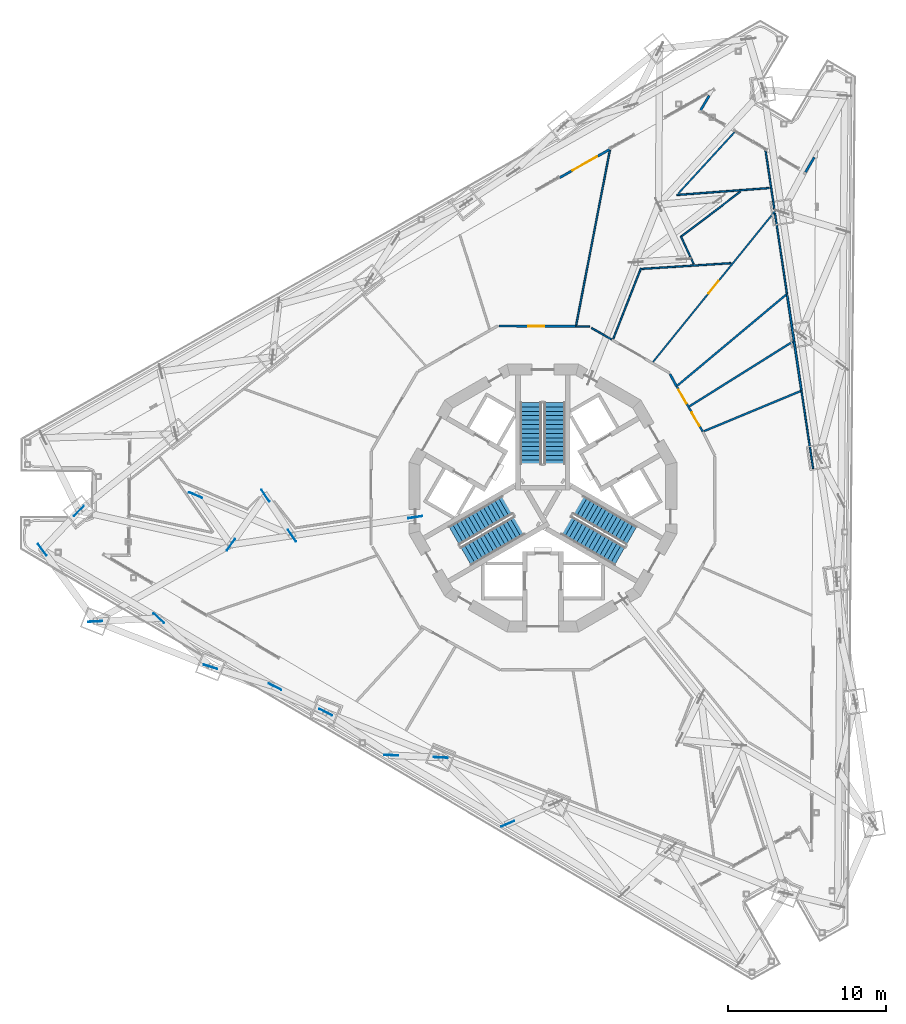
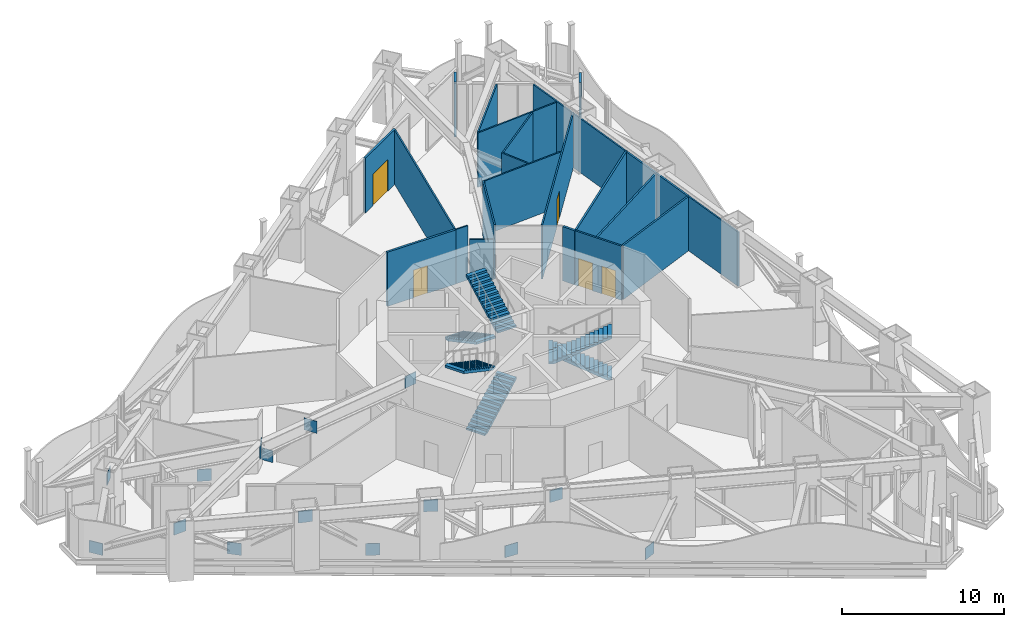
# One storey, part 15 of 27: 24 walls, 15 discrete accessories, 6 stair flights, 5 doors, 5 openings, 3 elements without a shape of their own.
"""IFC4 building model written with IfcOpenShell, lengths in metres."""

from ifc_helpers import new_model, si_unit, direction, frame, frame_2d, origin, origin_2d, place, context, subcontext, project, spatial, polyline, rectangle, outline, extrude, material, layer, layer_set, type_object, element, fill, aggregate, save


model = new_model("IFC4")

# Units and contexts
model_context = context("Model", 3, precision=1e-05, world=origin(), true_north=direction((0.0, 1.0)))
body_context = subcontext(model_context, "Body", "Model", "MODEL_VIEW")
ifc_project = project(units=[si_unit("LENGTHUNIT", "METRE"), si_unit("AREAUNIT", "SQUARE_METRE"), si_unit("VOLUMEUNIT", "CUBIC_METRE"), si_unit("PLANEANGLEUNIT", "RADIAN"), si_unit("MASSUNIT", "GRAM", prefix="KILO")], contexts=[model_context])

# Site, building, storey
site_placement = place(None, origin())
site = spatial("IfcSite", under=ifc_project, at=site_placement, CompositionType="ELEMENT")
building_placement = place(site_placement, origin())
building = spatial("IfcBuilding", under=site, at=building_placement, Name="Trine Commons Tower", CompositionType="ELEMENT")
storey_placement = place(building_placement, frame((0.0, 0.0, 193.5)))
storey = spatial("IfcBuildingStorey", under=building, at=storey_placement, Name="L50", CompositionType="ELEMENT", Elevation=193.5)

# Wall, opening, door
ifc_material_1 = material(Name="Plasterboard on steel stud", Category="steel")
ifc_layer_1 = layer(ifc_material_1, 0.14990234375)
ifc_layer_set_1 = layer_set([ifc_layer_1], Name="Plasterboard on steel stud")
wall_type_1 = type_object("IfcWallType", Name="Compartment wall 150 mm, EI 60", PredefinedType="PARTITIONING", material=ifc_layer_set_1)
wall_1_placement = place(storey_placement, frame((77.213134765625, 73.425537109375, 0.0), z_axis=(0.0, 0.0, 1.0), x_axis=(0.999986505925, -0.005194994586, 0.0)))
wall_1 = element("IfcWall", 1, at=wall_1_placement, inside=storey, type_object=wall_type_1, Name="Partition A50025", PredefinedType="PARTITIONING", context=body_context, shape_type="SweptSolid", body=[
    extrude(rectangle(XDim=4.887451171875, YDim=0.14990234375, at=frame_2d((2.44384765625, 0.0))), origin(), (0.0, 0.0, 1.0), 4.10009765625),
])
opening_1_placement = place(wall_1_placement, frame((1.876953125, 0.0, 0.0)))
opening_1 = element("IfcOpeningElement", 2, at=opening_1_placement, cuts=wall_1, Name="Opening D-A5007", PredefinedType="OPENING", context=body_context, shape_type="SweptSolid", body=[
    extrude(rectangle(XDim=1.0, YDim=2.10009765625, at=frame_2d((0.5, 1.050048828125))), frame((0.0, 0.0849609375, 0.0), z_axis=(0.0, -1.0, 0.0), x_axis=(1.0, 0.0, 0.0)), (0.0, 0.0, 1.0), 0.169921875),
])
ifc_material_2 = material(Name="Timber fire door set", Category="wood")
door_type_1 = type_object("IfcDoorType", Name="Single swing door 1000x2100, FD30S", OperationType="SINGLE_SWING_LEFT", PredefinedType="DOOR", material=ifc_material_2)
door_1_placement = place(opening_1_placement, origin())
door_1 = element("IfcDoor", 3, at=door_1_placement, inside=storey, type_object=door_type_1, Name="Door D-A5007", OperationType="SINGLE_SWING_LEFT", OverallHeight=2.10009765625, OverallWidth=1.0, PredefinedType="DOOR", context=body_context, shape_type="SweptSolid", body=[
    extrude(rectangle(XDim=1.0, YDim=2.10009765625, at=frame_2d((0.5, 1.050048828125))), frame((0.0, 0.02490234375, 0.0), z_axis=(0.0, -1.0, 0.0), x_axis=(1.0, 0.0, 0.0)), (0.0, 0.0, 1.0), 0.050048828125),
])
fill(opening_1, door_1)

# Wall
wall_2_placement = place(storey_placement, frame((88.068359375, 70.376220703125, 0.0), z_axis=(0.0, 0.0, 1.0), x_axis=(0.474956376062, -0.880009341336, 0.0)))
element("IfcWall", 4, at=wall_2_placement, inside=storey, type_object=wall_type_1, Name="Partition A50041", PredefinedType="PARTITIONING", context=body_context, shape_type="SweptSolid", body=[
    extrude(rectangle(XDim=0.883544921875, YDim=0.14990234375, at=frame_2d((0.44189453125, 0.0))), origin(), (0.0, 0.0, 1.0), 4.10009765625),
])

# Wall, opening, door
ifc_material_3 = material(Name="Aluminium-framed insulated wall panel", Category="aluminium")
ifc_layer_2 = layer(ifc_material_3, 0.14990234375)
ifc_layer_set_2 = layer_set([ifc_layer_2], Name="Aluminium-framed insulated wall panel")
wall_type_2 = type_object("IfcWallType", Name="Glazed entrance wall 150, EI 60", PredefinedType="SOLIDWALL", material=ifc_layer_set_2)
wall_3_placement = place(storey_placement, frame((81.06689453125, 82.834228515625, 0.0), z_axis=(0.0, 0.0, 1.0), x_axis=(0.87037702274, 0.492385863207, 0.0)))
wall_3 = element("IfcWall", 5, at=wall_3_placement, inside=storey, type_object=wall_type_2, Name="Glazed entrance wall L50 F1 10", PredefinedType="SOLIDWALL", context=body_context, shape_type="SweptSolid", body=[
    extrude(rectangle(XDim=3.6474609375, YDim=0.14990234375, at=frame_2d((1.82373046875, 0.0))), origin(), (0.0, 0.0, 1.0), 4.14990234375),
])
opening_2_placement = place(wall_3_placement, frame((0.923583984375, 0.0, 0.0)))
opening_2 = element("IfcOpeningElement", 6, at=opening_2_placement, cuts=wall_3, Name="Opening SD-L50-F1-10", PredefinedType="OPENING", context=body_context, shape_type="SweptSolid", body=[
    extrude(rectangle(XDim=1.800048828125, YDim=2.39990234375, at=frame_2d((0.89990234375, 1.199951171875))), frame((0.0, 0.0849609375, 0.0), z_axis=(0.0, -1.0, 0.0), x_axis=(1.0, 0.0, 0.0)), (0.0, 0.0, 1.0), 0.169921875),
])
ifc_material_4 = material(Name="Anodised aluminium frame with double glazing", Category="aluminium")
door_type_2 = type_object("IfcDoorType", Name="Sliding double door 1800x2400", OperationType="DOUBLE_DOOR_SLIDING", PredefinedType="DOOR", material=ifc_material_4)
door_2_placement = place(opening_2_placement, origin())
door_2 = element("IfcDoor", 7, at=door_2_placement, inside=storey, type_object=door_type_2, Name="Loggia door L50 F1 10", OperationType="DOUBLE_DOOR_SLIDING", OverallHeight=2.39990234375, OverallWidth=1.800048828125, PredefinedType="DOOR", context=body_context, shape_type="SweptSolid", body=[
    extrude(rectangle(XDim=1.800048828125, YDim=2.39990234375, at=frame_2d((0.89990234375, 1.199951171875))), frame((0.0, 0.02490234375, 0.0), z_axis=(0.0, -1.0, 0.0), x_axis=(1.0, 0.0, 0.0)), (0.0, 0.0, 1.0), 0.050048828125),
])
fill(opening_2, door_2)

# Walls
ifc_layer_3 = layer(ifc_material_3, 0.14990234375)
ifc_layer_set_3 = layer_set([ifc_layer_3], Name="Aluminium-framed insulated wall panel")
wall_type_3 = type_object("IfcWallType", Name="Glazed frame wall 150, EI 60", PredefinedType="SOLIDWALL", material=ifc_layer_set_3)
wall_4_placement = place(storey_placement, frame((90.63720703125, 88.173583984375, 0.0), z_axis=(0.0, 0.0, 1.0), x_axis=(-0.507591242276, -0.861598009958, 0.0)))
element("IfcWall", 8, at=wall_4_placement, inside=storey, type_object=wall_type_3, Name="Glazed frame wall L50 R5", PredefinedType="SOLIDWALL", context=body_context, shape_type="SweptSolid", body=[
    extrude(outline(polyline([(0.1494140625, 0.074951171875), (0.1494140625, -0.074951171875), (1.235107421875, -0.074951171875), (1.235107421875, 0.074951171875), (0.1494140625, 0.074951171875)])), origin(), (0.0, 0.0, 1.0), 4.14990234375),
])
wall_5_placement = place(storey_placement, frame((96.614990234375, 83.091552734375, 0.0), z_axis=(0.0, 0.0, 1.0), x_axis=(0.507511857062, 0.86164477306, 0.0)))
element("IfcWall", 9, at=wall_5_placement, inside=storey, type_object=wall_type_3, Name="Glazed frame wall L50 R7", PredefinedType="SOLIDWALL", context=body_context, shape_type="SweptSolid", body=[
    extrude(outline(polyline([(0.110107421875, 0.074951171875), (0.110107421875, -0.074951171875), (1.19580078125, -0.074951171875), (1.19580078125, 0.074951171875), (0.110107421875, 0.074951171875)])), origin(), (0.0, 0.0, 1.0), 4.14990234375),
])
ifc_layer_4 = layer(ifc_material_1, 0.10009765625)
ifc_layer_set_4 = layer_set([ifc_layer_4], Name="Plasterboard on steel stud")
wall_type_4 = type_object("IfcWallType", Name="Partition wall 100 mm stud, not rated", PredefinedType="PARTITIONING", material=ifc_layer_set_4)
wall_6_placement = place(storey_placement, frame((82.1171875, 73.486572265625, 0.0), z_axis=(0.0, 0.0, 1.0), x_axis=(0.189206706581, 0.981937280169, 0.0)))
element("IfcWall", 10, at=wall_6_placement, inside=storey, type_object=wall_type_4, Name="Partition A50028", PredefinedType="PARTITIONING", context=body_context, shape_type="SweptSolid", body=[
    extrude(rectangle(XDim=11.31494140625, YDim=0.10009765625, at=frame_2d((5.657470703125, 0.0))), origin(), (0.0, 0.0, 1.0), 4.10009765625),
])
wall_7_placement = place(storey_placement, frame((82.1025390625, 73.400146484375, 0.0), z_axis=(0.0, 0.0, 1.0), x_axis=(1.0, 0.0, 0.0)))
element("IfcWall", 11, at=wall_7_placement, inside=storey, type_object=wall_type_4, Name="Partition A50029", PredefinedType="PARTITIONING", context=body_context, shape_type="SweptSolid", body=[
    extrude(rectangle(XDim=0.8681640625, YDim=0.10009765625, at=frame_2d((0.43408203125, 0.0))), origin(), (0.0, 0.0, 1.0), 4.10009765625),
])
wall_8_placement = place(storey_placement, frame((83.082275390625, 73.306884765625, 0.0), z_axis=(0.0, 0.0, 1.0), x_axis=(0.866047289552, -0.499962090823, 0.0)))
element("IfcWall", 12, at=wall_8_placement, inside=storey, type_object=wall_type_4, Name="Partition A50031", PredefinedType="PARTITIONING", context=body_context, shape_type="SweptSolid", body=[
    extrude(rectangle(XDim=1.4697265625, YDim=0.10009765625, at=frame_2d((0.73486328125, 0.0))), origin(), (0.0, 0.0, 1.0), 3.09130859375),
])
wall_9_placement = place(storey_placement, frame((84.464599609375, 72.606201171875, 0.0), z_axis=(0.0, 0.0, 1.0), x_axis=(0.366493951422, 0.930420433767, 0.0)))
element("IfcWall", 13, at=wall_9_placement, inside=storey, type_object=wall_type_4, Name="Partition A50034", PredefinedType="PARTITIONING", context=body_context, shape_type="SweptSolid", body=[
    extrude(rectangle(XDim=4.81884765625, YDim=0.10009765625, at=frame_2d((2.409423828125, 0.0))), origin(), (0.0, 0.0, 1.0), 4.10009765625),
])
wall_10_placement = place(storey_placement, frame((86.291015625, 77.04833984375, 0.0), z_axis=(0.0, 0.0, 1.0), x_axis=(0.997938242232, 0.064181498043, 0.0)))
element("IfcWall", 14, at=wall_10_placement, inside=storey, type_object=wall_type_4, Name="Partition A50035", PredefinedType="PARTITIONING", context=body_context, shape_type="SweptSolid", body=[
    extrude(rectangle(XDim=5.6640625, YDim=0.10009765625, at=frame_2d((2.83203125, 0.0))), origin(), (0.0, 0.0, 1.0), 4.10009765625),
])

# Wall, opening, door
wall_11_placement = place(storey_placement, frame((86.99365234375, 71.144287109375, 0.0), z_axis=(0.0, 0.0, 1.0), x_axis=(0.628973675857, 0.777426597872, 0.0)))
wall_11 = element("IfcWall", 15, at=wall_11_placement, inside=storey, type_object=wall_type_4, Name="Partition A50037", PredefinedType="PARTITIONING", context=body_context, shape_type="SweptSolid", body=[
    extrude(rectangle(XDim=12.324462890625, YDim=0.10009765625, at=frame_2d((6.162109375, 0.0))), origin(), (0.0, 0.0, 1.0), 4.10009765625),
])
opening_3_placement = place(wall_11_placement, frame((5.59521484375, 0.0, 0.0)))
opening_3 = element("IfcOpeningElement", 16, at=opening_3_placement, cuts=wall_11, Name="Opening D-A5010", PredefinedType="OPENING", context=body_context, shape_type="SweptSolid", body=[
    extrude(rectangle(XDim=1.0, YDim=2.10009765625, at=frame_2d((0.5, 1.050048828125))), frame((0.0, 0.06005859375, 0.0), z_axis=(0.0, -1.0, 0.0), x_axis=(1.0, 0.0, 0.0)), (0.0, 0.0, 1.0), 0.1201171875),
])
ifc_material_5 = material(Name="Painted timber", Category="wood")
door_type_3 = type_object("IfcDoorType", Name="Single swing door 1000x2100, not rated", OperationType="SINGLE_SWING_LEFT", PredefinedType="DOOR", material=ifc_material_5)
door_3_placement = place(opening_3_placement, origin())
door_3 = element("IfcDoor", 17, at=door_3_placement, inside=storey, type_object=door_type_3, Name="Door D-A5010", OperationType="SINGLE_SWING_LEFT", OverallHeight=2.10009765625, OverallWidth=1.0, PredefinedType="DOOR", context=body_context, shape_type="SweptSolid", body=[
    extrude(rectangle(XDim=1.0, YDim=2.10009765625, at=frame_2d((0.5, 1.050048828125))), frame((0.0, 0.02490234375, 0.0), z_axis=(0.0, -1.0, 0.0), x_axis=(1.0, 0.0, 0.0)), (0.0, 0.0, 1.0), 0.050048828125),
])
fill(opening_3, door_3)

# Walls
wall_12_placement = place(storey_placement, frame((88.490478515625, 81.73779296875, 0.0), z_axis=(0.0, 0.0, 1.0), x_axis=(0.997203085327, 0.074739592019, 0.0)))
element("IfcWall", 18, at=wall_12_placement, inside=storey, type_object=wall_type_4, Name="Partition A50046", PredefinedType="PARTITIONING", context=body_context, shape_type="SweptSolid", body=[
    extrude(rectangle(XDim=5.906005859375, YDim=0.10009765625, at=frame_2d((2.953125, 0.0))), origin(), (0.0, 0.0, 1.0), 4.10009765625),
])
wall_13_placement = place(storey_placement, frame((88.59423828125, 81.830810546875, 0.0), z_axis=(0.0, 0.0, 1.0), x_axis=(0.67585046837, 0.737038767233, 0.0)))
element("IfcWall", 19, at=wall_13_placement, inside=storey, type_object=wall_type_4, Name="Partition A50047", PredefinedType="PARTITIONING", context=body_context, shape_type="SweptSolid", body=[
    extrude(rectangle(XDim=5.270751953125, YDim=0.10009765625, at=frame_2d((2.63525390625, 0.0))), origin(), (0.0, 0.0, 1.0), 4.10009765625),
])
wall_14_placement = place(storey_placement, frame((88.752197265625, 79.137451171875, 0.0), z_axis=(0.0, 0.0, 1.0), x_axis=(0.419795533938, -0.907618702807, 0.0)))
element("IfcWall", 20, at=wall_14_placement, inside=storey, type_object=wall_type_4, Name="Partition A50051", PredefinedType="PARTITIONING", context=body_context, shape_type="SweptSolid", body=[
    extrude(rectangle(XDim=1.952392578125, YDim=0.10009765625, at=frame_2d((0.97607421875, 0.0))), origin(), (0.0, 0.0, 1.0), 4.10009765625),
])
wall_15_placement = place(storey_placement, frame((88.82275390625, 79.129638671875, 0.0), z_axis=(0.0, 0.0, 1.0), x_axis=(0.796405229566, 0.604763350675, 0.0)))
element("IfcWall", 21, at=wall_15_placement, inside=storey, type_object=wall_type_4, Name="Partition A50052", PredefinedType="PARTITIONING", context=body_context, shape_type="SweptSolid", body=[
    extrude(rectangle(XDim=4.663818359375, YDim=0.10009765625, at=frame_2d((2.33203125, 0.0))), origin(), (0.0, 0.0, 1.0), 4.10009765625),
])
wall_16_placement = place(storey_placement, frame((94.13671875, 84.549072265625, 0.0), z_axis=(0.0, 0.0, 1.0), x_axis=(0.147795400542, -0.989017957157, 0.0)))
element("IfcWall", 22, at=wall_16_placement, inside=storey, type_object=wall_type_4, Name="Partition A50062", PredefinedType="PARTITIONING", context=body_context, shape_type="SweptSolid", body=[
    extrude(rectangle(XDim=3.789306640625, YDim=0.10009765625, at=frame_2d((1.89453125, 0.0))), origin(), (0.0, 0.0, 1.0), 4.10009765625),
])
wall_17_placement = place(storey_placement, frame((94.730712890625, 80.5751953125, 0.0), z_axis=(0.0, 0.0, 1.0), x_axis=(0.147784004209, -0.989019660118, 0.0)))
element("IfcWall", 23, at=wall_17_placement, inside=storey, type_object=wall_type_4, Name="Partition A50063", PredefinedType="PARTITIONING", context=body_context, shape_type="SweptSolid", body=[
    extrude(rectangle(XDim=5.1708984375, YDim=0.10009765625, at=frame_2d((2.58544921875, 0.0))), origin(), (0.0, 0.0, 1.0), 4.10009765625),
])
wall_18_placement = place(storey_placement, frame((96.413330078125, 69.3154296875, 0.0), z_axis=(0.0, 0.0, 1.0), x_axis=(0.147822407457, -0.98901392096, 0.0)))
element("IfcWall", 24, at=wall_18_placement, inside=storey, type_object=wall_type_4, Name="Partition A50066", PredefinedType="PARTITIONING", context=body_context, shape_type="SweptSolid", body=[
    extrude(rectangle(XDim=5.0009765625, YDim=0.10009765625, at=frame_2d((2.50048828125, 0.0))), origin(), (0.0, 0.0, 1.0), 4.10009765625),
])

# Wall, openings, doors
ifc_layer_5 = layer(ifc_material_1, 0.125)
ifc_layer_set_5 = layer_set([ifc_layer_5], Name="Plasterboard on steel stud")
wall_type_5 = type_object("IfcWallType", Name="Wet wall 125 mm stud, not rated", PredefinedType="PARTITIONING", material=ifc_layer_set_5)
wall_19_placement = place(storey_placement, frame((88.48779296875, 69.598876953125, 0.0), z_axis=(0.0, 0.0, 1.0), x_axis=(0.500044160611, -0.865999906143, 0.0)))
wall_19 = element("IfcWall", 25, at=wall_19_placement, inside=storey, type_object=wall_type_5, Name="Partition A50048", PredefinedType="PARTITIONING", context=body_context, shape_type="SweptSolid", body=[
    extrude(rectangle(XDim=3.328369140625, YDim=0.125, at=frame_2d((1.6640625, 0.0))), origin(), (0.0, 0.0, 1.0), 4.10009765625),
])
opening_4_placement = place(wall_19_placement, frame((0.25634765625, 0.0, 0.0)))
opening_4 = element("IfcOpeningElement", 26, at=opening_4_placement, cuts=wall_19, Name="Opening D-A5014", PredefinedType="OPENING", context=body_context, shape_type="SweptSolid", body=[
    extrude(rectangle(XDim=1.0, YDim=2.10009765625, at=frame_2d((0.5, 1.050048828125))), frame((0.0, 0.072509765625, 0.0), z_axis=(0.0, -1.0, 0.0), x_axis=(1.0, 0.0, 0.0)), (0.0, 0.0, 1.0), 0.14501953125),
])
opening_5_placement = place(wall_19_placement, frame((1.92041015625, 0.0, 0.0)))
opening_5 = element("IfcOpeningElement", 27, at=opening_5_placement, cuts=wall_19, Name="Opening D-A5015", PredefinedType="OPENING", context=body_context, shape_type="SweptSolid", body=[
    extrude(rectangle(XDim=1.0, YDim=2.10009765625, at=frame_2d((0.5, 1.050048828125))), frame((0.0, 0.072509765625, 0.0), z_axis=(0.0, -1.0, 0.0), x_axis=(1.0, 0.0, 0.0)), (0.0, 0.0, 1.0), 0.14501953125),
])
door_4_placement = place(opening_4_placement, origin())
door_4 = element("IfcDoor", 28, at=door_4_placement, inside=storey, type_object=door_type_3, Name="Door D-A5014", OperationType="SINGLE_SWING_LEFT", OverallHeight=2.10009765625, OverallWidth=1.0, PredefinedType="DOOR", context=body_context, shape_type="SweptSolid", body=[
    extrude(rectangle(XDim=1.0, YDim=2.10009765625, at=frame_2d((0.5, 1.050048828125))), frame((0.0, 0.02490234375, 0.0), z_axis=(0.0, -1.0, 0.0), x_axis=(1.0, 0.0, 0.0)), (0.0, 0.0, 1.0), 0.050048828125),
])
fill(opening_4, door_4)
door_5_placement = place(opening_5_placement, origin())
door_5 = element("IfcDoor", 29, at=door_5_placement, inside=storey, type_object=door_type_3, Name="Door D-A5015", OperationType="SINGLE_SWING_LEFT", OverallHeight=2.10009765625, OverallWidth=1.0, PredefinedType="DOOR", context=body_context, shape_type="SweptSolid", body=[
    extrude(rectangle(XDim=1.0, YDim=2.10009765625, at=frame_2d((0.5, 1.050048828125))), frame((0.0, 0.02490234375, 0.0), z_axis=(0.0, -1.0, 0.0), x_axis=(1.0, 0.0, 0.0)), (0.0, 0.0, 1.0), 0.050048828125),
])
fill(opening_5, door_5)

# Walls
wall_20_placement = place(storey_placement, frame((88.5546875, 69.654541015625, 0.0), z_axis=(0.0, 0.0, 1.0), x_axis=(0.767088858948, 0.641540865789, 0.0)))
element("IfcWall", 30, at=wall_20_placement, inside=storey, type_object=wall_type_5, Name="Partition A50049", PredefinedType="PARTITIONING", context=body_context, shape_type="SweptSolid", body=[
    extrude(rectangle(XDim=9.1103515625, YDim=0.125, at=frame_2d((4.55517578125, 0.0))), origin(), (0.0, 0.0, 1.0), 4.10009765625),
])
wall_21_placement = place(storey_placement, frame((89.299072265625, 68.323486328125, 0.0), z_axis=(0.0, 0.0, 1.0), x_axis=(0.84752661452, 0.530752897005, 0.0)))
element("IfcWall", 31, at=wall_21_placement, inside=storey, type_object=wall_type_5, Name="Partition A50053", PredefinedType="PARTITIONING", context=body_context, shape_type="SweptSolid", body=[
    extrude(rectangle(XDim=7.740234375, YDim=0.125, at=frame_2d((3.8701171875, 0.0))), origin(), (0.0, 0.0, 1.0), 4.10009765625),
])
wall_22_placement = place(storey_placement, frame((90.229248046875, 66.748779296875, 0.0), z_axis=(0.0, 0.0, 1.0), x_axis=(0.923502146372, 0.383593255476, 0.0)))
element("IfcWall", 32, at=wall_22_placement, inside=storey, type_object=wall_type_5, Name="Partition A50057", PredefinedType="PARTITIONING", context=body_context, shape_type="SweptSolid", body=[
    extrude(rectangle(XDim=6.615966796875, YDim=0.125, at=frame_2d((3.30810546875, 0.0))), origin(), (0.0, 0.0, 1.0), 4.10009765625),
])
wall_23_placement = place(storey_placement, frame((95.511962890625, 75.3466796875, 0.0), z_axis=(0.0, 0.0, 1.0), x_axis=(0.147783586681, -0.989019722507, 0.0)))
element("IfcWall", 33, at=wall_23_placement, inside=storey, type_object=wall_type_5, Name="Partition A50064", PredefinedType="PARTITIONING", context=body_context, shape_type="SweptSolid", body=[
    extrude(rectangle(XDim=2.894287109375, YDim=0.125, at=frame_2d((1.447265625, 0.0))), origin(), (0.0, 0.0, 1.0), 4.10009765625),
])
wall_24_placement = place(storey_placement, frame((95.9404296875, 72.47998046875, 0.0), z_axis=(0.0, 0.0, 1.0), x_axis=(0.147824904592, -0.989013547724, 0.0)))
element("IfcWall", 34, at=wall_24_placement, inside=storey, type_object=wall_type_5, Name="Partition A50065", PredefinedType="PARTITIONING", context=body_context, shape_type="SweptSolid", body=[
    extrude(rectangle(XDim=3.19580078125, YDim=0.125, at=frame_2d((1.597900390625, 0.0))), origin(), (0.0, 0.0, 1.0), 4.10009765625),
])

# Stair, stair flights
ifc_material_6 = material(Name="Concrete C50/60", Category="concrete")
stair_type = type_object("IfcStairType", Name="Exit stair, dog-leg, 30 risers of 150 mm", PredefinedType="HALF_TURN_STAIR", material=ifc_material_6)
stair_1_placement = place(storey_placement, origin())
stair_1 = element("IfcStair", 35, at=stair_1_placement, inside=storey, type_object=stair_type, Name="L50 Exit stair ST1C", PredefinedType="HALF_TURN_STAIR")
stair_flight_type = type_object("IfcStairFlightType", Name="Stair flight, 1350 wide, 15 risers of 150 mm", PredefinedType="STRAIGHT", material=ifc_material_6)
stair_flight_1_placement = place(storey_placement, frame((79.25, 68.570556640625, 0.0), z_axis=(0.0, 0.0, 1.0), x_axis=(0.0, -1.0, 0.0)))
stair_flight_1 = element("IfcStairFlight", 36, at=stair_flight_1_placement, type_object=stair_flight_type, Name="ST1C flight 1", NumberOfRisers=15, NumberOfTreads=14, PredefinedType="STRAIGHT", RiserHeight=0.15, TreadLength=0.28, context=body_context, shape_type="SweptSolid", body=[
    extrude(outline(polyline([(0.0, 0.0), (0.0, 0.14990234375), (0.280029296875, 0.14990234375), (0.280029296875, 0.300048828125), (0.56005859375, 0.300048828125), (0.56005859375, 0.449951171875), (0.840087890625, 0.449951171875), (0.840087890625, 0.60009765625), (1.1201171875, 0.60009765625), (1.1201171875, 0.75), (1.39990234375, 0.75), (1.39990234375, 0.89990234375), (1.679931640625, 0.89990234375), (1.679931640625, 1.050048828125), (1.9599609375, 1.050048828125), (1.9599609375, 1.199951171875), (2.239990234375, 1.199951171875), (2.239990234375, 1.35009765625), (2.52001953125, 1.35009765625), (2.52001953125, 1.5), (2.800048828125, 1.5), (2.800048828125, 1.64990234375), (3.080078125, 1.64990234375), (3.080078125, 1.800048828125), (3.360107421875, 1.800048828125), (3.360107421875, 1.949951171875), (3.639892578125, 1.949951171875), (3.639892578125, 2.10009765625), (3.919921875, 2.10009765625), (3.919921875, 2.25), (3.919921875, 1.929931640625), (0.3173828125, 0.0), (0.0, 0.0)])), frame((0.0, 0.675048828125, 0.0), z_axis=(0.0, -1.0, 0.0), x_axis=(1.0, 0.0, 0.0)), (0.0, 0.0, 1.0), 1.35009765625),
])
stair_flight_2_placement = place(storey_placement, frame((80.75, 64.650634765625, 2.25), z_axis=(0.0, 0.0, 1.0), x_axis=(0.0, 1.0, 0.0)))
stair_flight_2 = element("IfcStairFlight", 37, at=stair_flight_2_placement, type_object=stair_flight_type, Name="ST1C flight 2", NumberOfRisers=15, NumberOfTreads=14, PredefinedType="STRAIGHT", RiserHeight=0.15, TreadLength=0.28, context=body_context, shape_type="SweptSolid", body=[
    extrude(outline(polyline([(0.0, 0.0), (0.0, 0.14990234375), (0.280029296875, 0.14990234375), (0.280029296875, 0.300048828125), (0.56005859375, 0.300048828125), (0.56005859375, 0.449951171875), (0.840087890625, 0.449951171875), (0.840087890625, 0.60009765625), (1.1201171875, 0.60009765625), (1.1201171875, 0.75), (1.39990234375, 0.75), (1.39990234375, 0.89990234375), (1.679931640625, 0.89990234375), (1.679931640625, 1.050048828125), (1.9599609375, 1.050048828125), (1.9599609375, 1.199951171875), (2.239990234375, 1.199951171875), (2.239990234375, 1.35009765625), (2.52001953125, 1.35009765625), (2.52001953125, 1.5), (2.800048828125, 1.5), (2.800048828125, 1.64990234375), (3.080078125, 1.64990234375), (3.080078125, 1.800048828125), (3.360107421875, 1.800048828125), (3.360107421875, 1.949951171875), (3.639892578125, 1.949951171875), (3.639892578125, 2.10009765625), (3.919921875, 2.10009765625), (3.919921875, 2.25), (3.919921875, 1.929931640625), (0.3173828125, 0.0), (0.0, 0.0)])), frame((0.0, 0.675048828125, 0.0), z_axis=(0.0, -1.0, 0.0), x_axis=(1.0, 0.0, 0.0)), (0.0, 0.0, 1.0), 1.35009765625),
])
aggregate(stair_1, [stair_flight_1, stair_flight_2])

stair_2_placement = place(storey_placement, origin())
stair_2 = element("IfcStair", 38, at=stair_2_placement, inside=storey, type_object=stair_type, Name="L50 Exit stair ST2C", PredefinedType="HALF_TURN_STAIR")
stair_flight_3_placement = place(storey_placement, frame((75.11767578125, 58.815185546875, 0.0), z_axis=(0.0, 0.0, 1.0), x_axis=(0.866025403784, 0.5, 0.0)))
stair_flight_3 = element("IfcStairFlight", 39, at=stair_flight_3_placement, type_object=stair_flight_type, Name="ST2C flight 1", NumberOfRisers=15, NumberOfTreads=14, PredefinedType="STRAIGHT", RiserHeight=0.15, TreadLength=0.28, context=body_context, shape_type="SweptSolid", body=[
    extrude(outline(polyline([(0.0, 0.0), (0.0, 0.14990234375), (0.280029296875, 0.14990234375), (0.280029296875, 0.300048828125), (0.56005859375, 0.300048828125), (0.56005859375, 0.449951171875), (0.840087890625, 0.449951171875), (0.840087890625, 0.60009765625), (1.1201171875, 0.60009765625), (1.1201171875, 0.75), (1.39990234375, 0.75), (1.39990234375, 0.89990234375), (1.679931640625, 0.89990234375), (1.679931640625, 1.050048828125), (1.9599609375, 1.050048828125), (1.9599609375, 1.199951171875), (2.239990234375, 1.199951171875), (2.239990234375, 1.35009765625), (2.52001953125, 1.35009765625), (2.52001953125, 1.5), (2.800048828125, 1.5), (2.800048828125, 1.64990234375), (3.080078125, 1.64990234375), (3.080078125, 1.800048828125), (3.360107421875, 1.800048828125), (3.360107421875, 1.949951171875), (3.639892578125, 1.949951171875), (3.639892578125, 2.10009765625), (3.919921875, 2.10009765625), (3.919921875, 2.25), (3.919921875, 1.929931640625), (0.3173828125, 0.0), (0.0, 0.0)])), frame((0.0, 0.675048828125, 0.0), z_axis=(0.0, -1.0, 0.0), x_axis=(1.0, 0.0, 0.0)), (0.0, 0.0, 1.0), 1.35009765625),
])
stair_flight_4_placement = place(storey_placement, frame((77.762451171875, 62.07421875, 2.25), z_axis=(0.0, 0.0, 1.0), x_axis=(-0.866025403784, -0.5, 0.0)))
stair_flight_4 = element("IfcStairFlight", 40, at=stair_flight_4_placement, type_object=stair_flight_type, Name="ST2C flight 2", NumberOfRisers=15, NumberOfTreads=14, PredefinedType="STRAIGHT", RiserHeight=0.15, TreadLength=0.28, context=body_context, shape_type="SweptSolid", body=[
    extrude(outline(polyline([(0.0, 0.0), (0.0, 0.14990234375), (0.280029296875, 0.14990234375), (0.280029296875, 0.300048828125), (0.56005859375, 0.300048828125), (0.56005859375, 0.449951171875), (0.840087890625, 0.449951171875), (0.840087890625, 0.60009765625), (1.1201171875, 0.60009765625), (1.1201171875, 0.75), (1.39990234375, 0.75), (1.39990234375, 0.89990234375), (1.679931640625, 0.89990234375), (1.679931640625, 1.050048828125), (1.9599609375, 1.050048828125), (1.9599609375, 1.199951171875), (2.239990234375, 1.199951171875), (2.239990234375, 1.35009765625), (2.52001953125, 1.35009765625), (2.52001953125, 1.5), (2.800048828125, 1.5), (2.800048828125, 1.64990234375), (3.080078125, 1.64990234375), (3.080078125, 1.800048828125), (3.360107421875, 1.800048828125), (3.360107421875, 1.949951171875), (3.639892578125, 1.949951171875), (3.639892578125, 2.10009765625), (3.919921875, 2.10009765625), (3.919921875, 2.25), (3.919921875, 1.929931640625), (0.3173828125, 0.0), (0.0, 0.0)])), frame((0.0, 0.675048828125, 0.0), z_axis=(0.0, -1.0, 0.0), x_axis=(1.0, 0.0, 0.0)), (0.0, 0.0, 1.0), 1.35009765625),
])
aggregate(stair_2, [stair_flight_3, stair_flight_4])

stair_3_placement = place(storey_placement, origin())
stair_3 = element("IfcStair", 41, at=stair_3_placement, inside=storey, type_object=stair_type, Name="L50 Exit stair ST3C", PredefinedType="HALF_TURN_STAIR")
stair_flight_5_placement = place(storey_placement, frame((85.63232421875, 60.1142578125, 0.0), z_axis=(0.0, 0.0, 1.0), x_axis=(-0.866025403784, 0.5, 0.0)))
stair_flight_5 = element("IfcStairFlight", 42, at=stair_flight_5_placement, type_object=stair_flight_type, Name="ST3C flight 1", NumberOfRisers=15, NumberOfTreads=14, PredefinedType="STRAIGHT", RiserHeight=0.15, TreadLength=0.28, context=body_context, shape_type="SweptSolid", body=[
    extrude(outline(polyline([(0.0, 0.0), (0.0, 0.14990234375), (0.280029296875, 0.14990234375), (0.280029296875, 0.300048828125), (0.56005859375, 0.300048828125), (0.56005859375, 0.449951171875), (0.840087890625, 0.449951171875), (0.840087890625, 0.60009765625), (1.1201171875, 0.60009765625), (1.1201171875, 0.75), (1.39990234375, 0.75), (1.39990234375, 0.89990234375), (1.679931640625, 0.89990234375), (1.679931640625, 1.050048828125), (1.9599609375, 1.050048828125), (1.9599609375, 1.199951171875), (2.239990234375, 1.199951171875), (2.239990234375, 1.35009765625), (2.52001953125, 1.35009765625), (2.52001953125, 1.5), (2.800048828125, 1.5), (2.800048828125, 1.64990234375), (3.080078125, 1.64990234375), (3.080078125, 1.800048828125), (3.360107421875, 1.800048828125), (3.360107421875, 1.949951171875), (3.639892578125, 1.949951171875), (3.639892578125, 2.10009765625), (3.919921875, 2.10009765625), (3.919921875, 2.25), (3.919921875, 1.929931640625), (0.3173828125, 0.0), (0.0, 0.0)])), frame((0.0, 0.675048828125, 0.0), z_axis=(0.0, -1.0, 0.0), x_axis=(1.0, 0.0, 0.0)), (0.0, 0.0, 1.0), 1.35009765625),
])
stair_flight_6_placement = place(storey_placement, frame((81.487548828125, 60.775146484375, 2.25), z_axis=(0.0, 0.0, 1.0), x_axis=(0.866025403784, -0.5, 0.0)))
stair_flight_6 = element("IfcStairFlight", 43, at=stair_flight_6_placement, type_object=stair_flight_type, Name="ST3C flight 2", NumberOfRisers=15, NumberOfTreads=14, PredefinedType="STRAIGHT", RiserHeight=0.15, TreadLength=0.28, context=body_context, shape_type="SweptSolid", body=[
    extrude(outline(polyline([(0.0, 0.0), (0.0, 0.14990234375), (0.280029296875, 0.14990234375), (0.280029296875, 0.300048828125), (0.56005859375, 0.300048828125), (0.56005859375, 0.449951171875), (0.840087890625, 0.449951171875), (0.840087890625, 0.60009765625), (1.1201171875, 0.60009765625), (1.1201171875, 0.75), (1.39990234375, 0.75), (1.39990234375, 0.89990234375), (1.679931640625, 0.89990234375), (1.679931640625, 1.050048828125), (1.9599609375, 1.050048828125), (1.9599609375, 1.199951171875), (2.239990234375, 1.199951171875), (2.239990234375, 1.35009765625), (2.52001953125, 1.35009765625), (2.52001953125, 1.5), (2.800048828125, 1.5), (2.800048828125, 1.64990234375), (3.080078125, 1.64990234375), (3.080078125, 1.800048828125), (3.360107421875, 1.800048828125), (3.360107421875, 1.949951171875), (3.639892578125, 1.949951171875), (3.639892578125, 2.10009765625), (3.919921875, 2.10009765625), (3.919921875, 2.25), (3.919921875, 1.929931640625), (0.3173828125, 0.0), (0.0, 0.0)])), frame((0.0, 0.675048828125, 0.0), z_axis=(0.0, -1.0, 0.0), x_axis=(1.0, 0.0, 0.0)), (0.0, 0.0, 1.0), 1.35009765625),
])
aggregate(stair_3, [stair_flight_5, stair_flight_6])

# Discrete accessories
ifc_material_7 = material(Name="Structural steel ASTM A572 Gr50", Category="steel")
for number, where, z_axis, x_axis, name in (
    (44, (48.234375, 59.232666015625, 0.024658203125), (0.0, 0.0, 1.0), (0.594205293664, -0.804313414647, 0.0), "Gusset plate GP5-01"),
    (45, (55.619140625, 54.8828125, 0.024658203125), (0.0, 0.0, 1.0), (0.72904030903, -0.684470764759, 0.0), "Gusset plate GP5-03"),
    (46, (57.962890625, 62.6923828125, 0.024658203125), (0.0, 0.0, 1.0), (0.921944292444, -0.387322503387, 0.0), "Gusset plate GP5-05"),
    (47, (62.39501953125, 62.653564453125, 0.024658203125), (0.0, 0.0, 1.0), (0.554568510511, -0.832138069763, 0.0), "Gusset plate GP5-06"),
    (48, (63.00390625, 50.53271484375, 0.024658203125), (0.0, 0.0, 1.0), (0.893206644311, -0.449646406144, 0.0), "Gusset plate GP5-07"),
    (49, (70.388427734375, 46.182861328125, 0.024658203125), (0.0, 0.0, 1.0), (0.998965020201, -0.045485035069, 0.0), "Gusset plate GP5-09"),
    (50, (77.773193359375, 41.8330078125, 0.024658203125), (0.0, 0.0, 1.0), (0.916502421907, 0.400029137237, 0.0), "Gusset plate GP5-11"),
    (51, (50.5556640625, 61.683349609375, 3.185546875), (0.0, 0.0, 1.0), (0.68764527744, 0.726046811448, 0.0), "Gusset plate GP5-28"),
    (52, (51.603515625, 54.67236328125, 3.185546875), (0.0, 0.0, 1.0), (-0.998630448037, -0.052318526862, 0.0), "Gusset plate GP5-29"),
    (53, (58.90771484375, 51.794921875, 3.185546875), (0.0, 0.0, 1.0), (-0.95565434544, 0.294490699414, 0.0), "Gusset plate GP5-31"),
    (54, (60.20166015625, 59.541015625, 3.185546875), (0.0, 0.0, 1.0), (-0.57606144824, -0.81740639088, 0.0), "Gusset plate GP5-32"),
    (55, (64.082763671875, 60.12109375, 3.185546875), (0.0, 0.0, 1.0), (0.554568510511, -0.832138069763, 0.0), "Gusset plate GP5-34"),
    (56, (66.212158203125, 48.917724609375, 3.185546875), (0.0, 0.0, 1.0), (0.893206644311, -0.449646406144, 0.0), "Gusset plate GP5-35"),
    (57, (71.8955078125, 61.288818359375, 3.185546875), (0.0, 0.0, 1.0), (-0.989015863362, -0.14780941113, 0.0), "Gusset plate GP5-37"),
    (58, (73.516357421875, 46.04052734375, 3.185546875), (0.0, 0.0, 1.0), (0.998965020201, -0.045485035069, 0.0), "Gusset plate GP5-38"),
):
    element("IfcDiscreteAccessory", number, at=place(storey_placement, frame(where, z_axis=z_axis, x_axis=x_axis)), inside=storey, material=ifc_material_7, Name=name, PredefinedType="BRACKET", context=body_context, shape_type="SweptSolid", body=[
        extrude(rectangle(XDim=0.89990234375, YDim=0.0400390625, at=origin_2d()), origin(), (0.0, 0.0, 1.0), 0.89990234375),
    ])

save(model, "model.ifc")
